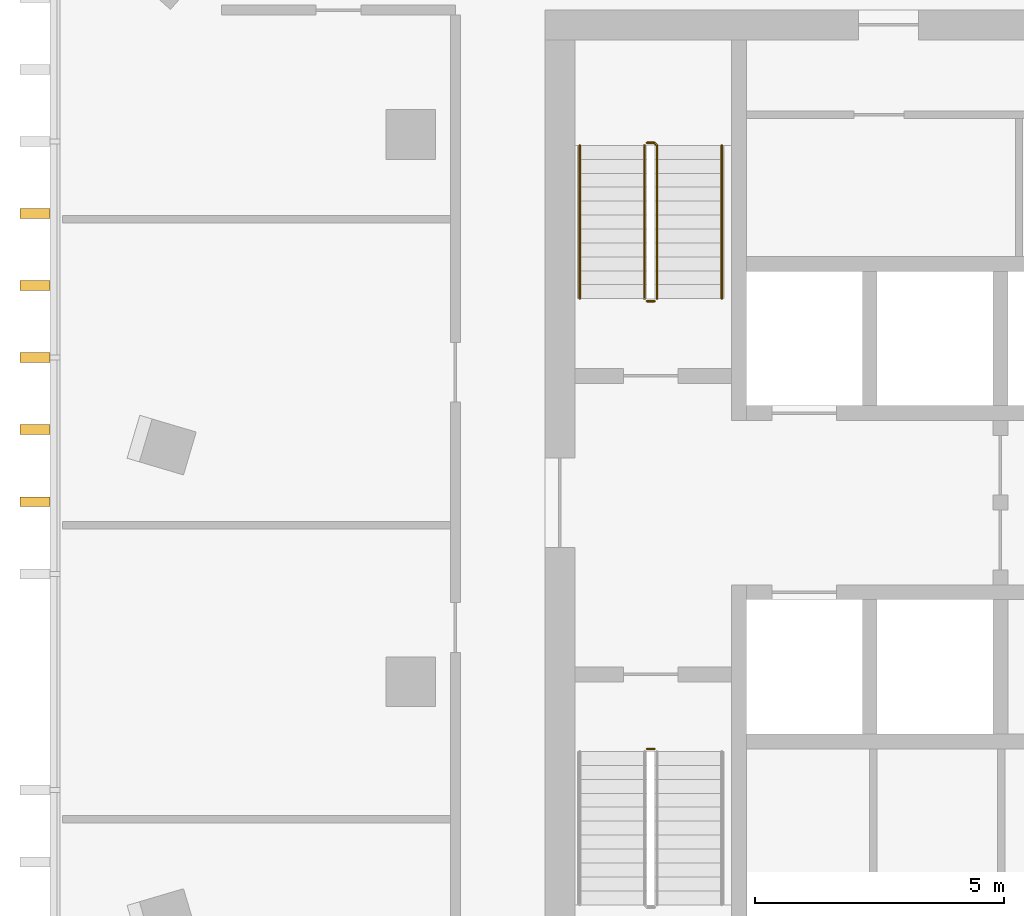
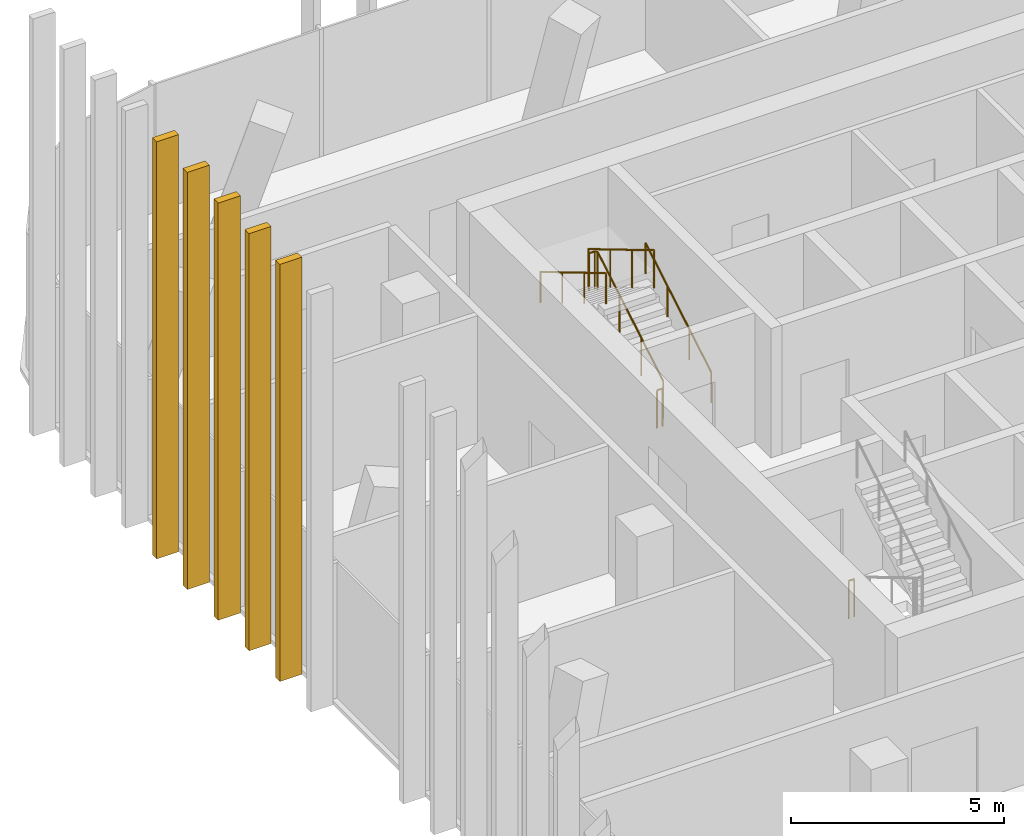
# One storey, part 11 of 13: 6 railings, 5 shading devices.
"""IFC4 building model written with IfcOpenShell, lengths in metres."""

import ifcopenshell
import ifcopenshell.guid

model = None  # the IFC model being written
_history = None  # IfcOwnerHistory: only IFC2X3 demands one
_inside = {}  # id of a spatial element -> (the spatial element, [elements in it])
_under = {}  # id of a project, library or spatial element -> (it, [spatial elements below it])
_declared = {}  # id of a project -> (the project, [libraries it declares])
_typed = {}  # id of a type object -> (the type object, [elements of that type])
_made_of = {}  # id of a material, layer set ... -> (it, [elements and type objects made of it])


def new_model(schema):
    """Start an empty IFC model of exactly this schema.

    Asked for "IFC4X3", IfcOpenShell would pick the latest addendum, in which some entities
    have other attributes; the version numbers below select the first issue.
    IFC2X3 requires an IfcOwnerHistory on every rooted entity: one is made here for all.
    """
    global model, _history
    if schema == "IFC4X3":
        model = ifcopenshell.file(schema_version=(4, 3, 0, 0))
    else:
        model = ifcopenshell.file(schema=schema)
    _inside.clear()
    _under.clear()
    _declared.clear()
    _typed.clear()
    _made_of.clear()
    _history = None
    if model.schema == "IFC2X3":
        org = make("IfcOrganization", Name="unknown")
        user = make(
            "IfcPersonAndOrganization",
            ThePerson=make("IfcPerson", FamilyName="unknown"),
            TheOrganization=org,
        )
        app = make(
            "IfcApplication",
            ApplicationDeveloper=org,
            Version="unknown",
            ApplicationFullName="unknown",
            ApplicationIdentifier="unknown",
        )
        _history = make(
            "IfcOwnerHistory",
            OwningUser=user,
            OwningApplication=app,
            ChangeAction="ADDED",
            CreationDate=0,
        )
    return model


def make(cls, **values):
    """One entity of the class cls with the attributes given. An attribute that is None is left unset."""
    return model.create_entity(
        cls, **{name: value for name, value in values.items() if value is not None}
    )


def rooted(cls, **values):
    """An entity with a GlobalId (a new one), such as an element, a storey or a relation."""
    return make(cls, GlobalId=ifcopenshell.guid.new(), OwnerHistory=_history, **values)


def si_unit(unit_type, name, prefix=None):
    """IfcSIUnit, for example si_unit("LENGTHUNIT", "METRE", prefix="MILLI")."""
    return make("IfcSIUnit", UnitType=unit_type, Prefix=prefix, Name=name)


def assignment(units):
    """IfcUnitAssignment: the units of a project."""
    return None if units is None else make("IfcUnitAssignment", Units=units)


def point(xyz):
    """IfcCartesianPoint."""
    return None if xyz is None else make("IfcCartesianPoint", Coordinates=xyz)


def direction(xyz):
    """IfcDirection."""
    return None if xyz is None else make("IfcDirection", DirectionRatios=xyz)


def frame(location, z_axis=None, x_axis=None):
    """IfcAxis2Placement3D, a coordinate frame: its origin and axes. An axis left out is left unset."""
    return make(
        "IfcAxis2Placement3D",
        Location=point(location),
        Axis=direction(z_axis),
        RefDirection=direction(x_axis),
    )


def frame_2d(location, x_axis=None):
    """IfcAxis2Placement2D, a coordinate frame in the plane: its origin and x axis."""
    return make(
        "IfcAxis2Placement2D", Location=point(location), RefDirection=direction(x_axis)
    )


def origin():
    """The frame at (0, 0, 0) with its axes left unset."""
    return frame((0.0, 0.0, 0.0))


def origin_2d():
    """The frame at (0, 0) in the plane with its x axis left unset."""
    return frame_2d((0.0, 0.0))


def place(relative_to, where):
    """IfcLocalPlacement: puts the frame where relative to a parent placement (None: the world)."""
    return make(
        "IfcLocalPlacement", PlacementRelTo=relative_to, RelativePlacement=where
    )


def context(
    kind, dimensions, precision=None, world=None, true_north=None, identifier=None
):
    """IfcGeometricRepresentationContext, for example the 3D "Model" context."""
    return make(
        "IfcGeometricRepresentationContext",
        ContextIdentifier=identifier,
        ContextType=kind,
        CoordinateSpaceDimension=dimensions,
        Precision=precision,
        WorldCoordinateSystem=world,
        TrueNorth=true_north,
    )


def subcontext(parent, identifier, kind, view, scale=None):
    """IfcGeometricRepresentationSubContext, for example "Body" below "Model"."""
    return make(
        "IfcGeometricRepresentationSubContext",
        ContextIdentifier=identifier,
        ContextType=kind,
        ParentContext=parent,
        TargetScale=scale,
        TargetView=view,
    )


def project(units=None, contexts=None):
    """IfcProject with its units and contexts."""
    return rooted(
        "IfcProject",
        Name="project",
        RepresentationContexts=contexts,
        UnitsInContext=assignment(units),
    )


def spatial(cls, under=None, at=None, **own):
    """A site, building, storey or space (cls), placed at a placement, below another one or the project."""
    s = rooted(cls, ObjectPlacement=at, **own)
    if under is not None:
        _under.setdefault(under.id(), (under, []))[1].append(s)
    return s


def profile(cls, at=None, kind="AREA", **sizes):
    """A parametric profile (cls). Its sizes go by their IFC names, for example OverallWidth=200.0."""
    return make(cls, ProfileType=kind, Position=at, **sizes)


def rectangle(**sizes):
    """IfcRectangleProfileDef."""
    return profile("IfcRectangleProfileDef", **sizes)


def circle(**sizes):
    """IfcCircleProfileDef."""
    return profile("IfcCircleProfileDef", **sizes)


def extrude(swept, where, along, depth):
    """IfcExtrudedAreaSolid: the profile swept, set in the frame where, extruded along a direction by depth."""
    return make(
        "IfcExtrudedAreaSolid",
        SweptArea=swept,
        Position=where,
        ExtrudedDirection=direction(along),
        Depth=depth,
    )


def shape(context_of_items, identifier, shape_type, items):
    """IfcShapeRepresentation: the items that make up one representation, for example the "Body"."""
    return make(
        "IfcShapeRepresentation",
        ContextOfItems=context_of_items,
        RepresentationIdentifier=identifier,
        RepresentationType=shape_type,
        Items=items,
    )


def material(Name=None, Category=None):
    """IfcMaterial."""
    return make("IfcMaterial", Name=Name, Category=Category)


def made_of(thing, what):
    """Note that an element or type object is made of a material, layer set ...; save() writes the relation."""
    if what is not None:
        _made_of.setdefault(what.id(), (what, []))[1].append(thing)
    return thing


def type_object(cls, material=None, **own):
    """A type object (cls), such as IfcWallType, which elements share."""
    return made_of(rooted(cls, **own), material)


def element(
    cls,
    number,
    at=None,
    inside=None,
    cuts=None,
    type_object=None,
    material=None,
    context=None,
    identifier="Body",
    shape_type=None,
    held_by="IfcProductDefinitionShape",
    body=None,
    shapes=None,
    **own,
):
    """One element of the class cls, such as IfcWall. Its Tag is "e" and its number.

    at: its placement. inside: the storey or other place that contains it. cuts: it is an
    opening in that element (IfcRelVoidsElement). A single representation is given by context,
    identifier, shape_type and body (its items); several are given by shapes. held_by: the class
    of the entity that holds the representations. save() writes the other relations.
    """
    e = rooted(cls, Tag="e%d" % number, ObjectPlacement=at, **own)
    if body is not None:
        shapes = [shape(context, identifier, shape_type, body)]
    if shapes is not None:
        e.Representation = make(held_by, Representations=shapes)
    if inside is not None:
        _inside.setdefault(inside.id(), (inside, []))[1].append(e)
    if cuts is not None:
        rooted(
            "IfcRelVoidsElement", RelatingBuildingElement=cuts, RelatedOpeningElement=e
        )
    if type_object is not None:
        _typed.setdefault(type_object.id(), (type_object, []))[1].append(e)
    return made_of(e, material)


def aggregate(whole, parts):
    """IfcRelAggregates: a whole, such as a stair, and the parts it consists of."""
    return rooted("IfcRelAggregates", RelatingObject=whole, RelatedObjects=parts)


def save(model, path):
    """Write the relations noted so far, then the file.

    IfcRelAggregates (storeys below a building ...), IfcRelContainedInSpatialStructure (elements
    in a storey), IfcRelDefinesByType, IfcRelAssociatesMaterial and IfcRelDeclares: one each for
    every whole, place, type object, material and project.
    """
    for whole, parts in _under.values():
        aggregate(whole, parts)
    for where, things in _inside.values():
        rooted(
            "IfcRelContainedInSpatialStructure",
            RelatedElements=things,
            RelatingStructure=where,
        )
    for kind, things in _typed.values():
        rooted("IfcRelDefinesByType", RelatedObjects=things, RelatingType=kind)
    for what, things in _made_of.values():
        rooted("IfcRelAssociatesMaterial", RelatedObjects=things, RelatingMaterial=what)
    for by, libraries in _declared.values():
        rooted("IfcRelDeclares", RelatingContext=by, RelatedDefinitions=libraries)
    model.write(path)


model = new_model("IFC4")

# Units and contexts
model_context = context("Model", 3, precision=1e-05, world=origin(), true_north=direction((0.0, 1.0)))
body_context = subcontext(model_context, "Body", "Model", "MODEL_VIEW")
ifc_project = project(units=[si_unit("LENGTHUNIT", "METRE"), si_unit("AREAUNIT", "SQUARE_METRE"), si_unit("VOLUMEUNIT", "CUBIC_METRE"), si_unit("PLANEANGLEUNIT", "RADIAN"), si_unit("MASSUNIT", "GRAM", prefix="KILO")], contexts=[model_context])

# Site, building, storey
site_placement = place(None, origin())
site = spatial("IfcSite", under=ifc_project, at=site_placement, CompositionType="ELEMENT")
building_placement = place(site_placement, origin())
building = spatial("IfcBuilding", under=site, at=building_placement, Name="Mopane Tessera Tower", CompositionType="ELEMENT")
storey_placement = place(building_placement, frame((0.0, 0.0, 345.39990234375)))
storey = spatial("IfcBuildingStorey", under=building, at=storey_placement, Name="L75", CompositionType="ELEMENT", Elevation=345.39990234375)

# Shading devices
ifc_material_1 = material(Name="Glazed ceramic tile")
shading_device_type = type_object("IfcShadingDeviceType", Name="Ceramic tile fin 600 x 200 mm", PredefinedType="USERDEFINED", material=ifc_material_1)
for number, where, z_axis, x_axis, name in (
    (1, (-24.64990234375, 9.409423828125, -0.35009765625), (0.0, 0.0, 1.0), (0.0, -1.0, 0.0), "e:fin:L75:W:1:1"),
    (2, (-24.64990234375, 7.9619140625, -0.35009765625), (0.0, 0.0, 1.0), (0.0, -1.0, 0.0), "e:fin:L75:W:1:2"),
    (3, (-24.64990234375, 6.514404296875, -0.35009765625), (0.0, 0.0, 1.0), (0.0, -1.0, 0.0), "e:fin:L75:W:2:0"),
    (4, (-24.64990234375, 5.066650390625, -0.35009765625), (0.0, 0.0, 1.0), (0.0, -1.0, 0.0), "e:fin:L75:W:2:1"),
    (5, (-24.64990234375, 3.619140625, -0.35009765625), (0.0, 0.0, 1.0), (0.0, -1.0, 0.0), "e:fin:L75:W:2:2"),
):
    element("IfcShadingDevice", number, at=place(storey_placement, frame(where, z_axis=z_axis, x_axis=x_axis)), inside=storey, type_object=shading_device_type, Name=name, ObjectType="FIN", PredefinedType="USERDEFINED", context=body_context, shape_type="SweptSolid", body=[
        extrude(rectangle(XDim=0.199951171875, YDim=0.60009765625, at=origin_2d()), origin(), (0.0, 0.0, 1.0), 11.949951171875),
    ])

# Railings
ifc_material_2 = material(Name="Powder-coated steel balustrade", Category="steel")
railing_type_1 = type_object("IfcRailingType", Name="Escape stair guard 1100 mm", PredefinedType="GUARDRAIL", material=ifc_material_2)
railing_1_placement = place(storey_placement, frame((-12.35009765625, -1.35009765625, 0.0)))
element("IfcRailing", 6, at=railing_1_placement, inside=storey, type_object=railing_type_1, Name="L75 ST1 stair guard 3", PredefinedType="GUARDRAIL", context=body_context, shape_type="SweptSolid", body=[
    extrude(circle(Radius=0.02392578125, at=origin_2d()), frame((0.0, 0.0, 1.076171875), z_axis=(1.0, 0.0, 0.0), x_axis=(0.0, 1.0, 0.0)), (0.0, 0.0, 1.0), 0.150146484375),
    extrude(circle(Radius=0.02099609375, at=origin_2d()), origin(), (0.0, 0.0, 1.0), 1.052001953125),
    extrude(circle(Radius=0.02099609375, at=origin_2d()), frame((0.150146484375, 0.0, 0.0)), (0.0, 0.0, 1.0), 1.052001953125),
])
railing_2_placement = place(storey_placement, frame((-12.14990234375, 7.699951171875, 0.166748046875)))
element("IfcRailing", 7, at=railing_2_placement, inside=storey, type_object=railing_type_1, Name="L75 ST2 stair guard 1", PredefinedType="GUARDRAIL", context=body_context, shape_type="SweptSolid", body=[
    extrude(circle(Radius=0.02392578125, at=origin_2d()), frame((0.0, 0.0, 1.076171875), z_axis=(0.0, 0.859308565015, 0.511457515432), x_axis=(-1.0, 0.0, 0.0)), (0.0, 0.0, 1.0), 3.58447265625),
    extrude(circle(Radius=0.02392578125, at=origin_2d()), frame((0.0, 3.080078125, 2.9091796875), z_axis=(-0.707106781187, 0.707106781187, 0.0), x_axis=(-0.707106781187, -0.707106781187, 0.0)), (0.0, 0.0, 1.0), 0.07080078125),
    extrude(circle(Radius=0.02392578125, at=origin_2d()), frame((-0.050048828125, 3.130126953125, 2.9091796875), z_axis=(-1.0, 0.0, 0.0), x_axis=(0.0, -1.0, 0.0)), (0.0, 0.0, 1.0), 0.150146484375),
    extrude(circle(Radius=0.02099609375, at=origin_2d()), origin(), (0.0, 0.0, 1.0), 1.052001953125),
    extrude(circle(Radius=0.02099609375, at=origin_2d()), frame((0.0, 1.026611328125, 0.611083984375)), (0.0, 0.0, 1.0), 1.052001953125),
    extrude(circle(Radius=0.02099609375, at=origin_2d()), frame((0.0, 2.053466796875, 1.22216796875)), (0.0, 0.0, 1.0), 1.052001953125),
    extrude(circle(Radius=0.02099609375, at=origin_2d()), frame((0.0, 3.080078125, 1.833251953125)), (0.0, 0.0, 1.0), 1.052001953125),
    extrude(circle(Radius=0.02099609375, at=origin_2d()), frame((-0.050048828125, 3.130126953125, 1.833251953125)), (0.0, 0.0, 1.0), 1.052001953125),
    extrude(circle(Radius=0.02099609375, at=origin_2d()), frame((-0.2001953125, 3.130126953125, 1.833251953125)), (0.0, 0.0, 1.0), 1.052001953125),
])
railing_3_placement = place(storey_placement, frame((-12.39990234375, 10.780029296875, 2.166748046875)))
element("IfcRailing", 8, at=railing_3_placement, inside=storey, type_object=railing_type_1, Name="L75 ST2 stair guard 2", PredefinedType="GUARDRAIL", context=body_context, shape_type="SweptSolid", body=[
    extrude(circle(Radius=0.02392578125, at=origin_2d()), frame((0.0, 0.0, 1.076171875), z_axis=(0.0, -0.859308565015, 0.511457515432), x_axis=(1.0, 0.0, 0.0)), (0.0, 0.0, 1.0), 3.58447265625),
    extrude(circle(Radius=0.02099609375, at=origin_2d()), origin(), (0.0, 0.0, 1.0), 1.052001953125),
    extrude(circle(Radius=0.02099609375, at=origin_2d()), frame((0.0, -1.026611328125, 0.611083984375)), (0.0, 0.0, 1.0), 1.052001953125),
    extrude(circle(Radius=0.02099609375, at=origin_2d()), frame((0.0, -2.053466796875, 1.22216796875)), (0.0, 0.0, 1.0), 1.052001953125),
    extrude(circle(Radius=0.02099609375, at=origin_2d()), frame((0.0, -3.080078125, 1.833251953125)), (0.0, 0.0, 1.0), 1.052001953125),
])
railing_4_placement = place(storey_placement, frame((-12.199951171875, 7.64990234375, 0.0)))
element("IfcRailing", 9, at=railing_4_placement, inside=storey, type_object=railing_type_1, Name="L75 ST2 stair guard 3", PredefinedType="GUARDRAIL", context=body_context, shape_type="SweptSolid", body=[
    extrude(circle(Radius=0.02392578125, at=origin_2d()), frame((0.0, 0.0, 1.076171875), z_axis=(-1.0, 0.0, 0.0), x_axis=(0.0, -1.0, 0.0)), (0.0, 0.0, 1.0), 0.150146484375),
    extrude(circle(Radius=0.02099609375, at=origin_2d()), origin(), (0.0, 0.0, 1.0), 1.052001953125),
    extrude(circle(Radius=0.02099609375, at=origin_2d()), frame((-0.150146484375, 0.0, 0.0)), (0.0, 0.0, 1.0), 1.052001953125),
])
ifc_material_3 = material(Name="Powder-coated steel balustrade", Category="steel")
railing_type_2 = type_object("IfcRailingType", Name="Escape stair handrail 900 mm", PredefinedType="HANDRAIL", material=ifc_material_3)
railing_5_placement = place(storey_placement, frame((-10.85009765625, 7.699951171875, 0.166748046875)))
element("IfcRailing", 10, at=railing_5_placement, inside=storey, type_object=railing_type_2, Name="L75 ST2 stair handrail 1", PredefinedType="HANDRAIL", context=body_context, shape_type="SweptSolid", body=[
    extrude(circle(Radius=0.02392578125, at=origin_2d()), frame((0.0, 0.0, 0.8759765625), z_axis=(0.0, 0.859308565015, 0.511457515432), x_axis=(-1.0, 0.0, 0.0)), (0.0, 0.0, 1.0), 3.58447265625),
    extrude(circle(Radius=0.02099609375, at=origin_2d()), origin(), (0.0, 0.0, 1.0), 0.851806640625),
    extrude(circle(Radius=0.02099609375, at=origin_2d()), frame((0.0, 1.026611328125, 0.611083984375)), (0.0, 0.0, 1.0), 0.851806640625),
    extrude(circle(Radius=0.02099609375, at=origin_2d()), frame((0.0, 2.053466796875, 1.22216796875)), (0.0, 0.0, 1.0), 0.851806640625),
    extrude(circle(Radius=0.02099609375, at=origin_2d()), frame((0.0, 3.080078125, 1.833251953125)), (0.0, 0.0, 1.0), 0.851806640625),
])
railing_6_placement = place(storey_placement, frame((-13.699951171875, 10.780029296875, 2.166748046875)))
element("IfcRailing", 11, at=railing_6_placement, inside=storey, type_object=railing_type_2, Name="L75 ST2 stair handrail 2", PredefinedType="HANDRAIL", context=body_context, shape_type="SweptSolid", body=[
    extrude(circle(Radius=0.02392578125, at=origin_2d()), frame((0.0, 0.0, 0.8759765625), z_axis=(0.0, -0.859308565015, 0.511457515432), x_axis=(1.0, 0.0, 0.0)), (0.0, 0.0, 1.0), 3.58447265625),
    extrude(circle(Radius=0.02099609375, at=origin_2d()), origin(), (0.0, 0.0, 1.0), 0.851806640625),
    extrude(circle(Radius=0.02099609375, at=origin_2d()), frame((0.0, -1.026611328125, 0.611083984375)), (0.0, 0.0, 1.0), 0.851806640625),
    extrude(circle(Radius=0.02099609375, at=origin_2d()), frame((0.0, -2.053466796875, 1.22216796875)), (0.0, 0.0, 1.0), 0.851806640625),
    extrude(circle(Radius=0.02099609375, at=origin_2d()), frame((0.0, -3.080078125, 1.833251953125)), (0.0, 0.0, 1.0), 0.851806640625),
])

save(model, "model.ifc")
